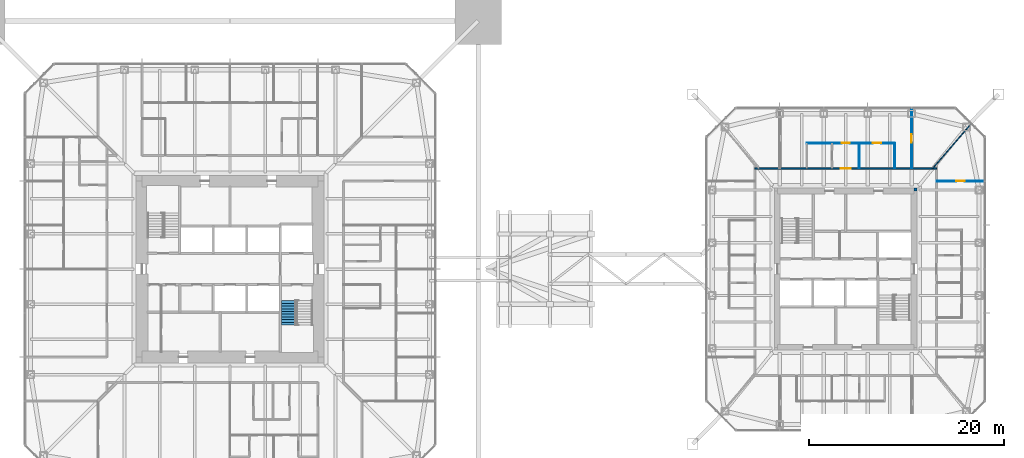
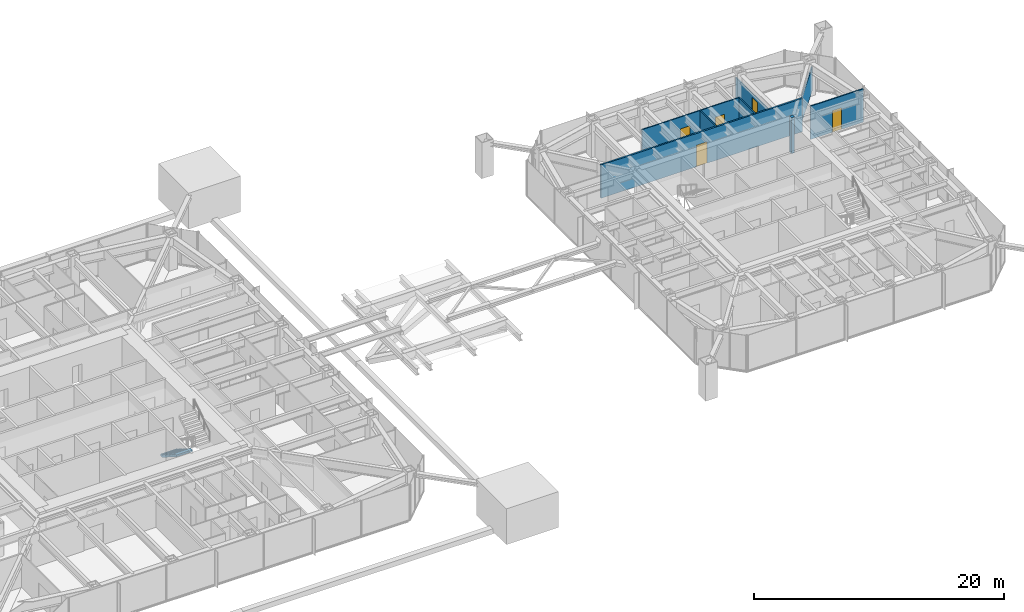
# One storey, part 20 of 26: 8 walls, 5 doors, 1 stair flight, 5 openings, 1 element without a shape of its own.
"""IFC4 building model written with IfcOpenShell, lengths in metres."""

from ifc_helpers import new_model, si_unit, direction, frame, frame_2d, origin, place, context, subcontext, project, spatial, polyline, rectangle, outline, extrude, material, layer, layer_set, constituent, constituent_set, type_object, element, fill, aggregate, save


model = new_model("IFC4")

# Units and contexts
model_context = context("Model", 3, precision=1e-05, world=origin(), true_north=direction((0.0, 1.0)))
body_context = subcontext(model_context, "Body", "Model", "MODEL_VIEW")
ifc_project = project(units=[si_unit("LENGTHUNIT", "METRE"), si_unit("AREAUNIT", "SQUARE_METRE"), si_unit("VOLUMEUNIT", "CUBIC_METRE"), si_unit("PLANEANGLEUNIT", "RADIAN"), si_unit("MASSUNIT", "GRAM", prefix="KILO")], contexts=[model_context])

# Site, building, storey
site_placement = place(None, origin())
site = spatial("IfcSite", under=ifc_project, at=site_placement, CompositionType="ELEMENT")
building_placement = place(site_placement, origin())
building = spatial("IfcBuilding", under=site, at=building_placement, Name="Iwan Alto Co-Living Towers", CompositionType="ELEMENT")
storey_placement = place(building_placement, frame((0.0, 0.0, 126.0)))
storey = spatial("IfcBuildingStorey", under=building, at=storey_placement, Name="L34", CompositionType="ELEMENT", Elevation=126.0)

# Wall, opening, door
ifc_material_1 = material(Name="Gypsum board")
ifc_layer_1 = layer(ifc_material_1, 0.02490234375, Name="Board", Category="Finish")
ifc_material_2 = material(Name="Steel ASTM A1003 ST33H cold-formed studs", Category="steel")
ifc_layer_2 = layer(ifc_material_2, 0.10009765625, Name="Studs", Category="Framing")
ifc_layer_3 = layer(ifc_material_1, 0.02490234375, Name="Board", Category="Finish")
ifc_layer_set_1 = layer_set([ifc_layer_1, ifc_layer_2, ifc_layer_3], Name="CORRIDOR WALL 150")
wall_type_1 = type_object("IfcWallType", Name="CORRIDOR WALL 150", PredefinedType="PARTITIONING", material=ifc_layer_set_1)
wall_1_placement = place(storey_placement, frame((53.699951171875, 10.300048828125, 0.0), z_axis=(0.0, 0.0, 1.0), x_axis=(1.0, 0.0, 0.0)))
wall_1 = element("IfcWall", 1, at=wall_1_placement, inside=storey, type_object=wall_type_1, Name="Partition L34", PredefinedType="PARTITIONING", context=body_context, shape_type="SweptSolid", body=[
    extrude(rectangle(XDim=18.60009765625, YDim=0.14990234375, at=frame_2d((9.300048828125, 0.0))), origin(), (0.0, 0.0, 1.0), 3.25),
])
opening_1_placement = place(wall_1_placement, frame((8.800048828125, 0.0, 0.0)))
opening_1 = element("IfcOpeningElement", 2, at=opening_1_placement, cuts=wall_1, Name="Opening D3", PredefinedType="OPENING", context=body_context, shape_type="SweptSolid", body=[
    extrude(rectangle(XDim=1.0, YDim=2.10009765625, at=frame_2d((0.5, 1.050048828125))), frame((0.0, 0.0849609375, 0.0), z_axis=(0.0, -1.0, 0.0), x_axis=(1.0, 0.0, 0.0)), (0.0, 0.0, 1.0), 0.169921875),
])
ifc_material_3 = material(Name="Steel frame with timber leaf", Category="steel")
door_type_1 = type_object("IfcDoorType", Name="FLAT ENTRANCE DOOR FD30S 1000X2100", OperationType="SINGLE_SWING_LEFT", PredefinedType="DOOR", material=ifc_material_3)
door_1_placement = place(opening_1_placement, origin())
door_1 = element("IfcDoor", 3, at=door_1_placement, inside=storey, type_object=door_type_1, Name="Apartment foyer door L34", OperationType="SINGLE_SWING_LEFT", OverallHeight=2.10009765625, OverallWidth=1.0, PredefinedType="DOOR", context=body_context, shape_type="SweptSolid", body=[
    extrude(rectangle(XDim=1.0, YDim=2.10009765625, at=frame_2d((0.5, 1.050048828125))), frame((0.0, 0.02490234375, 0.0), z_axis=(0.0, -1.0, 0.0), x_axis=(1.0, 0.0, 0.0)), (0.0, 0.0, 1.0), 0.050048828125),
])
fill(opening_1, door_1)

ifc_layer_4 = layer(ifc_material_1, 0.012451171875, Name="Board", Category="Finish")
ifc_layer_5 = layer(ifc_material_2, 0.074951171875, Name="Studs", Category="Framing")
ifc_layer_6 = layer(ifc_material_1, 0.012451171875, Name="Board", Category="Finish")
ifc_layer_set_2 = layer_set([ifc_layer_4, ifc_layer_5, ifc_layer_6], Name="PARTITION 100")
wall_type_2 = type_object("IfcWallType", Name="PARTITION 100", PredefinedType="PARTITIONING", material=ifc_layer_set_2)
wall_2_placement = place(storey_placement, frame((72.300048828125, 9.0, 0.0), z_axis=(0.0, 0.0, 1.0), x_axis=(1.0, 0.0, 0.0)))
wall_2 = element("IfcWall", 4, at=wall_2_placement, inside=storey, type_object=wall_type_2, Name="Partition L34", PredefinedType="PARTITIONING", context=body_context, shape_type="SweptSolid", body=[
    extrude(rectangle(XDim=4.889892578125, YDim=0.10009765625, at=frame_2d((2.44482421875, 0.0))), origin(), (0.0, 0.0, 1.0), 3.25),
])
opening_2_placement = place(wall_2_placement, frame((2.02001953125, 0.0, 0.0)))
opening_2 = element("IfcOpeningElement", 5, at=opening_2_placement, cuts=wall_2, Name="Opening D2", PredefinedType="OPENING", context=body_context, shape_type="SweptSolid", body=[
    extrude(rectangle(XDim=0.85009765625, YDim=2.10009765625, at=frame_2d((0.425048828125, 1.050048828125))), frame((0.0, 0.06005859375, 0.0), z_axis=(0.0, -1.0, 0.0), x_axis=(1.0, 0.0, 0.0)), (0.0, 0.0, 1.0), 0.1201171875),
])
ifc_material_4 = material(Name="Timber leaf in steel frame", Category="steel")
door_type_2 = type_object("IfcDoorType", Name="ROOM DOOR 850X2100", OperationType="SINGLE_SWING_LEFT", PredefinedType="DOOR", material=ifc_material_4)
door_2_placement = place(opening_2_placement, frame((0.85009765625, 0.0, 0.0), z_axis=(0.0, 0.0, 1.0), x_axis=(-1.0, 0.0, 0.0)))
door_2 = element("IfcDoor", 6, at=door_2_placement, inside=storey, type_object=door_type_2, Name="Bedroom door L34", OperationType="SINGLE_SWING_RIGHT", OverallHeight=2.10009765625, OverallWidth=0.85009765625, PredefinedType="DOOR", context=body_context, shape_type="SweptSolid", body=[
    extrude(rectangle(XDim=0.85009765625, YDim=2.10009765625, at=frame_2d((0.425048828125, 1.050048828125))), frame((0.0, 0.02490234375, 0.0), z_axis=(0.0, -1.0, 0.0), x_axis=(1.0, 0.0, 0.0)), (0.0, 0.0, 1.0), 0.050048828125),
])
fill(opening_2, door_2)

# Wall, openings, doors
wall_3_placement = place(storey_placement, frame((59.0, 12.89990234375, 0.0), z_axis=(0.0, 0.0, 1.0), x_axis=(1.0, 0.0, 0.0)))
wall_3 = element("IfcWall", 7, at=wall_3_placement, inside=storey, type_object=wall_type_2, Name="Partition L34", PredefinedType="PARTITIONING", context=body_context, shape_type="SweptSolid", body=[
    extrude(rectangle(XDim=9.0, YDim=0.10009765625, at=frame_2d((4.5, 0.0))), origin(), (0.0, 0.0, 1.0), 3.25),
])
opening_3_placement = place(wall_3_placement, frame((6.77490234375, 0.0, 0.0)))
opening_3 = element("IfcOpeningElement", 8, at=opening_3_placement, cuts=wall_3, Name="Opening D2", PredefinedType="OPENING", context=body_context, shape_type="SweptSolid", body=[
    extrude(rectangle(XDim=0.85009765625, YDim=2.10009765625, at=frame_2d((0.425048828125, 1.050048828125))), frame((0.0, 0.06005859375, 0.0), z_axis=(0.0, -1.0, 0.0), x_axis=(1.0, 0.0, 0.0)), (0.0, 0.0, 1.0), 0.1201171875),
])
opening_4_placement = place(wall_3_placement, frame((3.574951171875, 0.0, 0.0)))
opening_4 = element("IfcOpeningElement", 9, at=opening_4_placement, cuts=wall_3, Name="Opening D2", PredefinedType="OPENING", context=body_context, shape_type="SweptSolid", body=[
    extrude(rectangle(XDim=0.85009765625, YDim=2.10009765625, at=frame_2d((0.425048828125, 1.050048828125))), frame((0.0, 0.06005859375, 0.0), z_axis=(0.0, -1.0, 0.0), x_axis=(1.0, 0.0, 0.0)), (0.0, 0.0, 1.0), 0.1201171875),
])
door_3_placement = place(opening_3_placement, origin())
door_3 = element("IfcDoor", 10, at=door_3_placement, inside=storey, type_object=door_type_2, Name="Kitchen door L34", OperationType="SINGLE_SWING_RIGHT", OverallHeight=2.10009765625, OverallWidth=0.85009765625, PredefinedType="DOOR", context=body_context, shape_type="SweptSolid", body=[
    extrude(rectangle(XDim=0.85009765625, YDim=2.10009765625, at=frame_2d((0.425048828125, 1.050048828125))), frame((0.0, 0.02490234375, 0.0), z_axis=(0.0, -1.0, 0.0), x_axis=(1.0, 0.0, 0.0)), (0.0, 0.0, 1.0), 0.050048828125),
])
fill(opening_3, door_3)
door_4_placement = place(opening_4_placement, origin())
door_4 = element("IfcDoor", 11, at=door_4_placement, inside=storey, type_object=door_type_2, Name="Apartment foyer door L34", OperationType="SINGLE_SWING_LEFT", OverallHeight=2.10009765625, OverallWidth=0.85009765625, PredefinedType="DOOR", context=body_context, shape_type="SweptSolid", body=[
    extrude(rectangle(XDim=0.85009765625, YDim=2.10009765625, at=frame_2d((0.425048828125, 1.050048828125))), frame((0.0, 0.02490234375, 0.0), z_axis=(0.0, -1.0, 0.0), x_axis=(1.0, 0.0, 0.0)), (0.0, 0.0, 1.0), 0.050048828125),
])
fill(opening_4, door_4)

# Wall
wall_4_placement = place(storey_placement, frame((71.89501953125, 10.300048828125, 0.0), z_axis=(0.0, 0.0, 1.0), x_axis=(0.65378286253, 0.756682211144, 0.0)))
element("IfcWall", 12, at=wall_4_placement, inside=storey, type_object=wall_type_2, Name="Partition L34", PredefinedType="PARTITIONING", context=body_context, shape_type="SweptSolid", body=[
    extrude(rectangle(XDim=6.005126953125, YDim=0.10009765625, at=frame_2d((3.00244140625, 0.0))), origin(), (0.0, 0.0, 1.0), 2.322998046875),
])

# Wall, opening, door
wall_5_placement = place(storey_placement, frame((69.75, 10.300048828125, 0.0), z_axis=(0.0, 0.0, 1.0), x_axis=(0.0, 1.0, 0.0)))
wall_5 = element("IfcWall", 13, at=wall_5_placement, inside=storey, type_object=wall_type_2, Name="Partition L34", PredefinedType="PARTITIONING", context=body_context, shape_type="SweptSolid", body=[
    extrude(rectangle(XDim=6.139892578125, YDim=0.10009765625, at=frame_2d((3.06982421875, 0.0))), origin(), (0.0, 0.0, 1.0), 2.477783203125),
])
opening_5_placement = place(wall_5_placement, frame((2.64501953125, 0.0, 0.0)))
opening_5 = element("IfcOpeningElement", 14, at=opening_5_placement, cuts=wall_5, Name="Opening D2", PredefinedType="OPENING", context=body_context, shape_type="SweptSolid", body=[
    extrude(rectangle(XDim=0.85009765625, YDim=2.10009765625, at=frame_2d((0.425048828125, 1.050048828125))), frame((0.0, 0.06005859375, 0.0), z_axis=(0.0, -1.0, 0.0), x_axis=(1.0, 0.0, 0.0)), (0.0, 0.0, 1.0), 0.1201171875),
])
door_5_placement = place(opening_5_placement, origin())
door_5 = element("IfcDoor", 15, at=door_5_placement, inside=storey, type_object=door_type_2, Name="Study door L34", OperationType="SINGLE_SWING_LEFT", OverallHeight=2.10009765625, OverallWidth=0.85009765625, PredefinedType="DOOR", context=body_context, shape_type="SweptSolid", body=[
    extrude(rectangle(XDim=0.85009765625, YDim=2.10009765625, at=frame_2d((0.425048828125, 1.050048828125))), frame((0.0, 0.02490234375, 0.0), z_axis=(0.0, -1.0, 0.0), x_axis=(1.0, 0.0, 0.0)), (0.0, 0.0, 1.0), 0.050048828125),
])
fill(opening_5, door_5)

# Walls
for number, where, z_axis, x_axis, name in (
    (16, (68.0, 10.300048828125, 0.0), (0.0, 0.0, 1.0), (0.0, 1.0, 0.0), "Partition L34"),
    (17, (64.39990234375, 10.300048828125, 0.0), (0.0, 0.0, 1.0), (0.0, 1.0, 0.0), "Partition L34"),
):
    element("IfcWall", number, at=place(storey_placement, frame(where, z_axis=z_axis, x_axis=x_axis)), inside=storey, type_object=wall_type_2, Name=name, PredefinedType="PARTITIONING", context=body_context, shape_type="SweptSolid", body=[
        extrude(rectangle(XDim=2.599853515625, YDim=0.10009765625, at=frame_2d((1.2998046875, 0.0))), origin(), (0.0, 0.0, 1.0), 3.25),
    ])
ifc_material_5 = material(Name="Concrete f'c 70 MPa", Category="concrete")
ifc_layer_7 = layer(ifc_material_5, 0.300048828125)
ifc_layer_set_3 = layer_set([ifc_layer_7], Name="T2 CORE CORNER FILL 300")
wall_type_3 = type_object("IfcWallType", Name="T2 CORE CORNER FILL 300", PredefinedType="SOLIDWALL", material=ifc_layer_set_3)
wall_6_placement = place(storey_placement, frame((70.0, 8.14990234375, 0.0), z_axis=(0.0, 0.0, 1.0), x_axis=(1.0, 0.0, 0.0)))
element("IfcWall", 18, at=wall_6_placement, inside=storey, type_object=wall_type_3, Name="T2 core corner NE L34", PredefinedType="SOLIDWALL", context=body_context, shape_type="SweptSolid", body=[
    extrude(rectangle(XDim=0.300048828125, YDim=0.300048828125, at=frame_2d((0.14990234375, 0.0))), origin(), (0.0, 0.0, 1.0), 3.5),
])

# Stair, stair flight
ifc_material_6 = material(Name="Steel ASTM A36", Category="steel")
ifc_constituent_1 = constituent(ifc_material_6, Name="Stringers", Category="LoadBearing")
ifc_material_7 = material(Name="Concrete f'c 30 MPa", Category="concrete")
ifc_constituent_2 = constituent(ifc_material_7, Name="Tread fill", Category="Finish")
ifc_constituent_set_1 = constituent_set(constituents=[ifc_constituent_1, ifc_constituent_2], Name="STAIR 3500 TWO-FLIGHT T1 CORE")
stair_type = type_object("IfcStairType", Name="STAIR 3500 TWO-FLIGHT T1 CORE", PredefinedType="HALF_TURN_STAIR", material=ifc_constituent_set_1)
stair_placement = place(storey_placement, origin())
stair = element("IfcStair", 19, at=stair_placement, inside=storey, type_object=stair_type, Name="Stair T1-S2 L34 to L35", PredefinedType="HALF_TURN_STAIR")
ifc_constituent_3 = constituent(ifc_material_6, Name="Stringers", Category="LoadBearing")
ifc_constituent_4 = constituent(ifc_material_7, Name="Tread fill", Category="Finish")
ifc_constituent_set_2 = constituent_set(constituents=[ifc_constituent_3, ifc_constituent_4], Name="STAIR FLIGHT 10 RISERS 280 GOING")
stair_flight_type = type_object("IfcStairFlightType", Name="STAIR FLIGHT 10 RISERS 280 GOING", PredefinedType="STRAIGHT", material=ifc_constituent_set_2)
stair_flight_placement = place(storey_placement, frame((6.010009765625, -3.219970703125, 0.0), z_axis=(0.0, 0.0, 1.0), x_axis=(0.0, -1.0, 0.0)))
stair_flight = element("IfcStairFlight", 20, at=stair_flight_placement, type_object=stair_flight_type, Name="T1-S2 flight 1", NumberOfRisers=10, NumberOfTreads=9, PredefinedType="STRAIGHT", RiserHeight=0.175, TreadLength=0.28, context=body_context, shape_type="SweptSolid", body=[
    extrude(outline(polyline([(0.0, 0.0), (0.0, 0.175048828125), (0.280029296875, 0.175048828125), (0.280029296875, 0.35009765625), (0.56005859375, 0.35009765625), (0.56005859375, 0.52490234375), (0.840087890625, 0.52490234375), (0.840087890625, 0.699951171875), (1.1201171875, 0.699951171875), (1.1201171875, 0.875), (1.39990234375, 0.875), (1.39990234375, 1.050048828125), (1.679931640625, 1.050048828125), (1.679931640625, 1.22509765625), (1.9599609375, 1.22509765625), (1.9599609375, 1.39990234375), (2.239990234375, 1.39990234375), (2.239990234375, 1.574951171875), (2.52001953125, 1.574951171875), (2.52001953125, 1.75), (2.52001953125, 1.398193359375), (0.28271484375, 0.0), (0.0, 0.0)])), frame((0.0, 0.739990234375, 0.0), z_axis=(0.0, -1.0, 0.0), x_axis=(1.0, 0.0, 0.0)), (0.0, 0.0, 1.0), 1.47998046875),
])
aggregate(stair, [stair_flight])

save(model, "model.ifc")
